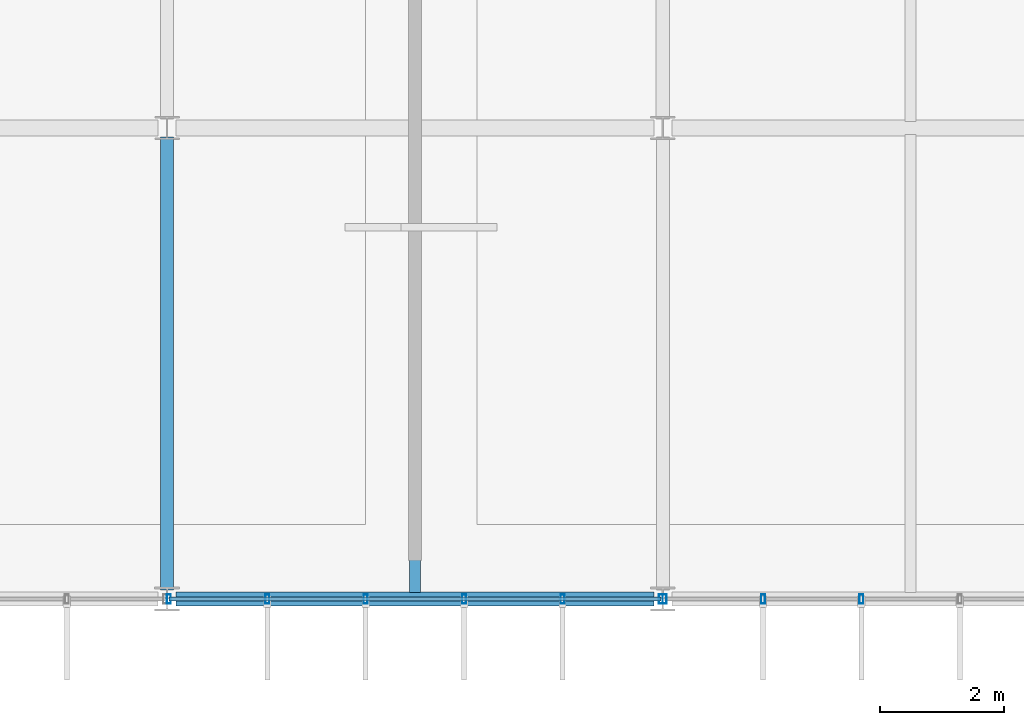
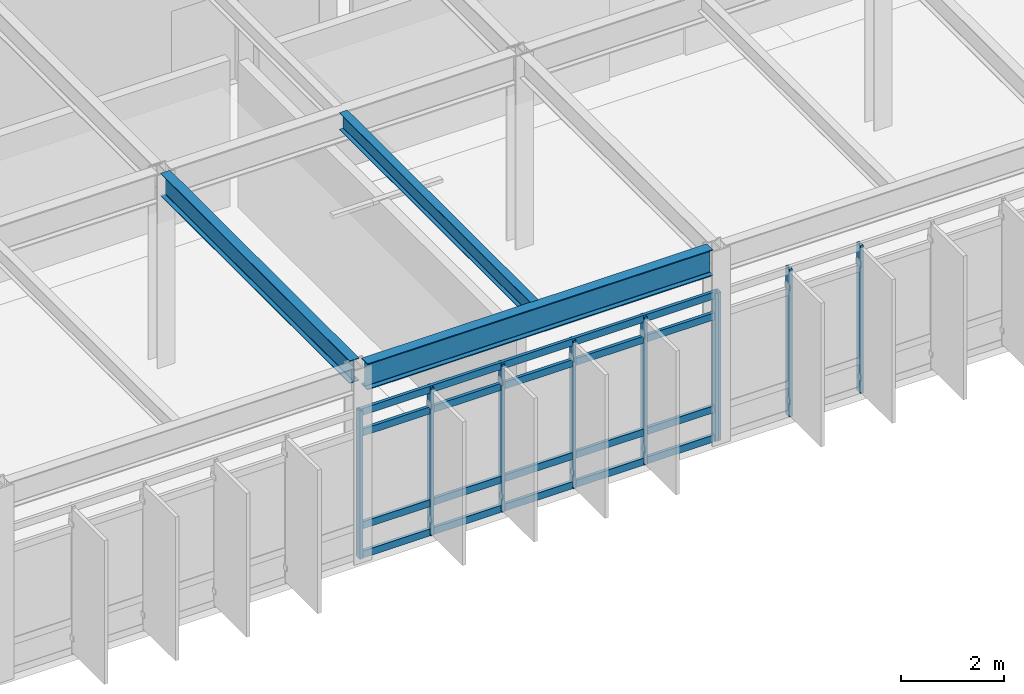
# One storey, part 24 of 104: 13 members, 3 beams, 2 elements without a shape of their own.
"""IFC4 building model written with IfcOpenShell, lengths in metres."""

from ifc_helpers import new_model, si_unit, direction, frame, origin, origin_2d, place, context, subcontext, project, spatial, hollow_rectangle, i_section, extrude, material, material_profile, profile_set, type_object, element, aggregate, save


model = new_model("IFC4")

# Units and contexts
model_context = context("Model", 3, precision=1e-05, world=origin(), true_north=direction((0.0, 1.0)))
body_context = subcontext(model_context, "Body", "Model", "MODEL_VIEW")
ifc_project = project(units=[si_unit("LENGTHUNIT", "METRE"), si_unit("AREAUNIT", "SQUARE_METRE"), si_unit("VOLUMEUNIT", "CUBIC_METRE"), si_unit("PLANEANGLEUNIT", "RADIAN"), si_unit("MASSUNIT", "GRAM", prefix="KILO")], contexts=[model_context])

# Site, building, storey
site_placement = place(None, origin())
site = spatial("IfcSite", under=ifc_project, at=site_placement, CompositionType="ELEMENT")
building_placement = place(site_placement, origin())
building = spatial("IfcBuilding", under=site, at=building_placement, Name="Zulena Civic Courthouse", CompositionType="ELEMENT")
storey_placement = place(building_placement, frame((0.0, 0.0, 10.800048828125)))
storey = spatial("IfcBuildingStorey", under=building, at=storey_placement, Name="L02", CompositionType="ELEMENT", Elevation=10.800048828125)

# Curtain wall, members
ifc_material_1 = material(Name="Double-silver low-E laminated solar-control glass", Category="glass")
curtain_wall_type = type_object("IfcCurtainWallType", Name="CW_7940x3490", PredefinedType="USERDEFINED", material=ifc_material_1)
curtain_wall_1_placement = place(storey_placement, origin())
curtain_wall_1 = element("IfcCurtainWall", 1, at=curtain_wall_1_placement, inside=storey, type_object=curtain_wall_type, Name="cw:V2:L02:5:2", ObjectType="UNITISED CURTAIN WALL", PredefinedType="USERDEFINED")
ifc_material_2 = material(Name="Bronze anodised thermally broken aluminium AA6063-T6", Category="aluminium")
ifc_material_profile_1 = material_profile(ifc_material_2, hollow_rectangle(XDim=0.06494140625, YDim=0.14990234375, WallThickness=0.00390625, at=origin_2d()), Name="CWM150X65X4")
ifc_profile_set_1 = profile_set([ifc_material_profile_1], Name="Bronze anodised thermally broken aluminium AA6063-T6")
member_type_1 = type_object("IfcMemberType", Name="CWMullion_150x65", PredefinedType="MULLION", material=ifc_profile_set_1)
member_1_placement = place(storey_placement, frame((31.2060546875, 0.0, 0.0), z_axis=(0.0, 0.0, 1.0), x_axis=(1.0, 0.0, 0.0)))
member_1 = element("IfcMember", 2, at=member_1_placement, type_object=member_type_1, Name="cw:V2:L02:5:2:mull:3", PredefinedType="MULLION", context=body_context, shape_type="SweptSolid", body=[
    extrude(hollow_rectangle(XDim=0.06494140625, YDim=0.14990234375, WallThickness=0.00390625, at=origin_2d()), origin(), (0.0, 0.0, 1.0), 3.489990234375),
])
member_2_placement = place(storey_placement, frame((29.617919921875, 0.0, 0.0), z_axis=(0.0, 0.0, 1.0), x_axis=(1.0, 0.0, 0.0)))
member_2 = element("IfcMember", 3, at=member_2_placement, type_object=member_type_1, Name="cw:V2:L02:5:2:mull:4", PredefinedType="MULLION", context=body_context, shape_type="SweptSolid", body=[
    extrude(hollow_rectangle(XDim=0.06494140625, YDim=0.14990234375, WallThickness=0.00390625, at=origin_2d()), origin(), (0.0, 0.0, 1.0), 3.489990234375),
])
member_3_placement = place(storey_placement, frame((28.030029296875, 0.0, 0.0), z_axis=(0.0, 0.0, 1.0), x_axis=(1.0, 0.0, 0.0)))
member_3 = element("IfcMember", 4, at=member_3_placement, type_object=member_type_1, Name="cw:V2:L02:5:2:mull:5", PredefinedType="MULLION", context=body_context, shape_type="SweptSolid", body=[
    extrude(hollow_rectangle(XDim=0.06494140625, YDim=0.14990234375, WallThickness=0.00390625, at=origin_2d()), origin(), (0.0, 0.0, 1.0), 3.489990234375),
])
aggregate(curtain_wall_1, [member_1, member_2, member_3])

curtain_wall_2_placement = place(storey_placement, origin())
curtain_wall_2 = element("IfcCurtainWall", 5, at=curtain_wall_2_placement, inside=storey, type_object=curtain_wall_type, Name="cw:V2:L02:5:3", ObjectType="UNITISED CURTAIN WALL", PredefinedType="USERDEFINED")
member_4_placement = place(storey_placement, frame((27.969970703125, 0.0, 0.0), z_axis=(0.0, 0.0, 1.0), x_axis=(1.0, 0.0, 0.0)))
member_4 = element("IfcMember", 6, at=member_4_placement, type_object=member_type_1, Name="cw:V2:L02:5:3:mull:0", PredefinedType="MULLION", context=body_context, shape_type="SweptSolid", body=[
    extrude(hollow_rectangle(XDim=0.06494140625, YDim=0.14990234375, WallThickness=0.00390625, at=origin_2d()), origin(), (0.0, 0.0, 1.0), 3.489990234375),
])
member_5_placement = place(storey_placement, frame((26.382080078125, 0.0, 0.0), z_axis=(0.0, 0.0, 1.0), x_axis=(1.0, 0.0, 0.0)))
member_5 = element("IfcMember", 7, at=member_5_placement, type_object=member_type_1, Name="cw:V2:L02:5:3:mull:1", PredefinedType="MULLION", context=body_context, shape_type="SweptSolid", body=[
    extrude(hollow_rectangle(XDim=0.06494140625, YDim=0.14990234375, WallThickness=0.00390625, at=origin_2d()), origin(), (0.0, 0.0, 1.0), 3.489990234375),
])
member_6_placement = place(storey_placement, frame((24.7939453125, 0.0, 0.0), z_axis=(0.0, 0.0, 1.0), x_axis=(1.0, 0.0, 0.0)))
member_6 = element("IfcMember", 8, at=member_6_placement, type_object=member_type_1, Name="cw:V2:L02:5:3:mull:2", PredefinedType="MULLION", context=body_context, shape_type="SweptSolid", body=[
    extrude(hollow_rectangle(XDim=0.06494140625, YDim=0.14990234375, WallThickness=0.00390625, at=origin_2d()), origin(), (0.0, 0.0, 1.0), 3.489990234375),
])
member_7_placement = place(storey_placement, frame((23.2060546875, 0.0, 0.0), z_axis=(0.0, 0.0, 1.0), x_axis=(1.0, 0.0, 0.0)))
member_7 = element("IfcMember", 9, at=member_7_placement, type_object=member_type_1, Name="cw:V2:L02:5:3:mull:3", PredefinedType="MULLION", context=body_context, shape_type="SweptSolid", body=[
    extrude(hollow_rectangle(XDim=0.06494140625, YDim=0.14990234375, WallThickness=0.00390625, at=origin_2d()), origin(), (0.0, 0.0, 1.0), 3.489990234375),
])
member_8_placement = place(storey_placement, frame((21.617919921875, 0.0, 0.0), z_axis=(0.0, 0.0, 1.0), x_axis=(1.0, 0.0, 0.0)))
member_8 = element("IfcMember", 10, at=member_8_placement, type_object=member_type_1, Name="cw:V2:L02:5:3:mull:4", PredefinedType="MULLION", context=body_context, shape_type="SweptSolid", body=[
    extrude(hollow_rectangle(XDim=0.06494140625, YDim=0.14990234375, WallThickness=0.00390625, at=origin_2d()), origin(), (0.0, 0.0, 1.0), 3.489990234375),
])
member_9_placement = place(storey_placement, frame((20.030029296875, 0.0, 0.0), z_axis=(0.0, 0.0, 1.0), x_axis=(1.0, 0.0, 0.0)))
member_9 = element("IfcMember", 11, at=member_9_placement, type_object=member_type_1, Name="cw:V2:L02:5:3:mull:5", PredefinedType="MULLION", context=body_context, shape_type="SweptSolid", body=[
    extrude(hollow_rectangle(XDim=0.06494140625, YDim=0.14990234375, WallThickness=0.00390625, at=origin_2d()), origin(), (0.0, 0.0, 1.0), 3.489990234375),
])
ifc_material_profile_2 = material_profile(ifc_material_2, hollow_rectangle(XDim=0.070068359375, YDim=0.1650390625, WallThickness=0.00390625, at=origin_2d()), Name="CWT165X70X4")
ifc_profile_set_2 = profile_set([ifc_material_profile_2], Name="Bronze anodised thermally broken aluminium AA6063-T6")
member_type_2 = type_object("IfcMemberType", Name="CWTransom_165x70", PredefinedType="USERDEFINED", material=ifc_profile_set_2)
member_10_placement = place(storey_placement, frame((27.969970703125, 0.0, 0.06005859375), z_axis=(-1.0, 0.0, 0.0), x_axis=(0.0, -1.0, 0.0)))
member_10 = element("IfcMember", 12, at=member_10_placement, type_object=member_type_2, Name="cw:V2:L02:5:3:tran:0", ObjectType="TRANSOM", PredefinedType="USERDEFINED", context=body_context, shape_type="SweptSolid", body=[
    extrude(hollow_rectangle(XDim=0.070068359375, YDim=0.1650390625, WallThickness=0.00390625, at=origin_2d()), origin(), (0.0, 0.0, 1.0), 7.93994140625),
])
member_11_placement = place(storey_placement, frame((27.969970703125, 0.0, 0.75), z_axis=(-1.0, 0.0, 0.0), x_axis=(0.0, -1.0, 0.0)))
member_11 = element("IfcMember", 13, at=member_11_placement, type_object=member_type_2, Name="cw:V2:L02:5:3:tran:1", ObjectType="TRANSOM", PredefinedType="USERDEFINED", context=body_context, shape_type="SweptSolid", body=[
    extrude(hollow_rectangle(XDim=0.070068359375, YDim=0.1650390625, WallThickness=0.00390625, at=origin_2d()), origin(), (0.0, 0.0, 1.0), 7.93994140625),
])
member_12_placement = place(storey_placement, frame((27.969970703125, 0.0, 2.93994140625), z_axis=(-1.0, 0.0, 0.0), x_axis=(0.0, -1.0, 0.0)))
member_12 = element("IfcMember", 14, at=member_12_placement, type_object=member_type_2, Name="cw:V2:L02:5:3:tran:2", ObjectType="TRANSOM", PredefinedType="USERDEFINED", context=body_context, shape_type="SweptSolid", body=[
    extrude(hollow_rectangle(XDim=0.070068359375, YDim=0.1650390625, WallThickness=0.00390625, at=origin_2d()), origin(), (0.0, 0.0, 1.0), 7.93994140625),
])
member_13_placement = place(storey_placement, frame((27.969970703125, 0.0, 3.429931640625), z_axis=(-1.0, 0.0, 0.0), x_axis=(0.0, -1.0, 0.0)))
member_13 = element("IfcMember", 15, at=member_13_placement, type_object=member_type_2, Name="cw:V2:L02:5:3:tran:3", ObjectType="TRANSOM", PredefinedType="USERDEFINED", context=body_context, shape_type="SweptSolid", body=[
    extrude(hollow_rectangle(XDim=0.070068359375, YDim=0.1650390625, WallThickness=0.00390625, at=origin_2d()), origin(), (0.0, 0.0, 1.0), 7.93994140625),
])
aggregate(curtain_wall_2, [member_4, member_5, member_6, member_7, member_8, member_9, member_10, member_11, member_12, member_13])

# Beams
ifc_material_3 = material(Name="Steel ASTM A992 Grade 50", Category="steel")
ifc_material_profile_3 = material_profile(ifc_material_3, i_section(OverallWidth=0.177978515625, OverallDepth=0.406005859375, WebThickness=0.0078125, FlangeThickness=0.0126953125, FilletRadius=0.01025390625, at=origin_2d()), Name="W16X40")
ifc_profile_set_3 = profile_set([ifc_material_profile_3], Name="Steel ASTM A992 Grade 50")
beam_type_1 = type_object("IfcBeamType", Name="Joist_W16X40", PredefinedType="JOIST", material=ifc_profile_set_3)
beam_1_placement = place(storey_placement, frame((24.0, 0.10498046875, 4.386962890625), z_axis=(0.0, 1.0, 0.0), x_axis=(-1.0, 0.0, 0.0)))
element("IfcBeam", 16, at=beam_1_placement, inside=storey, type_object=beam_type_1, Name="joist:V2:L02:24.00:0.0_7.6", PredefinedType="JOIST", context=body_context, shape_type="SweptSolid", body=[
    extrude(i_section(OverallWidth=0.177978515625, OverallDepth=0.406005859375, WebThickness=0.0078125, FlangeThickness=0.0126953125, FilletRadius=0.01025390625, at=origin_2d()), origin(), (0.0, 0.0, 1.0), 7.39013671875),
])
ifc_material_profile_4 = material_profile(ifc_material_3, i_section(OverallWidth=0.2099609375, OverallDepth=0.537109375, WebThickness=0.010986328125, FlangeThickness=0.017333984375, FilletRadius=0.0126953125, at=origin_2d()), Name="W21X68")
ifc_profile_set_4 = profile_set([ifc_material_profile_4], Name="Steel ASTM A992 Grade 50")
beam_type_2 = type_object("IfcBeamType", Name="Spandrel_W21X68", PredefinedType="SPANDREL", material=ifc_profile_set_4)
beam_2_placement = place(storey_placement, frame((20.0, 0.14501953125, 4.321533203125), z_axis=(0.0, 1.0, 0.0), x_axis=(-1.0, 0.0, 0.0)))
element("IfcBeam", 17, at=beam_2_placement, inside=storey, type_object=beam_type_2, Name="beam:Y:V2:L02:20.0:0.0_7.6", PredefinedType="SPANDREL", context=body_context, shape_type="SweptSolid", body=[
    extrude(i_section(OverallWidth=0.2099609375, OverallDepth=0.537109375, WebThickness=0.010986328125, FlangeThickness=0.017333984375, FilletRadius=0.0126953125, at=origin_2d()), origin(), (0.0, 0.0, 1.0), 7.31005859375),
])
ifc_material_profile_5 = material_profile(ifc_material_3, i_section(OverallWidth=0.22998046875, OverallDepth=0.616943359375, WebThickness=0.01318359375, FlangeThickness=0.022216796875, FilletRadius=0.0126953125, at=origin_2d()), Name="W24X94")
ifc_profile_set_5 = profile_set([ifc_material_profile_5], Name="Steel ASTM A992 Grade 50")
beam_type_3 = type_object("IfcBeamType", Name="Spandrel_W24X94", PredefinedType="SPANDREL", material=ifc_profile_set_5)
beam_3_placement = place(storey_placement, frame((20.14501953125, 0.0, 4.281494140625), z_axis=(1.0, 0.0, 0.0), x_axis=(0.0, 1.0, 0.0)))
element("IfcBeam", 18, at=beam_3_placement, inside=storey, type_object=beam_type_3, Name="beam:X:V2:L02:0.0:20.0_28.0", PredefinedType="SPANDREL", context=body_context, shape_type="SweptSolid", body=[
    extrude(i_section(OverallWidth=0.22998046875, OverallDepth=0.616943359375, WebThickness=0.01318359375, FlangeThickness=0.022216796875, FilletRadius=0.0126953125, at=origin_2d()), origin(), (0.0, 0.0, 1.0), 7.7099609375),
])

save(model, "model.ifc")
